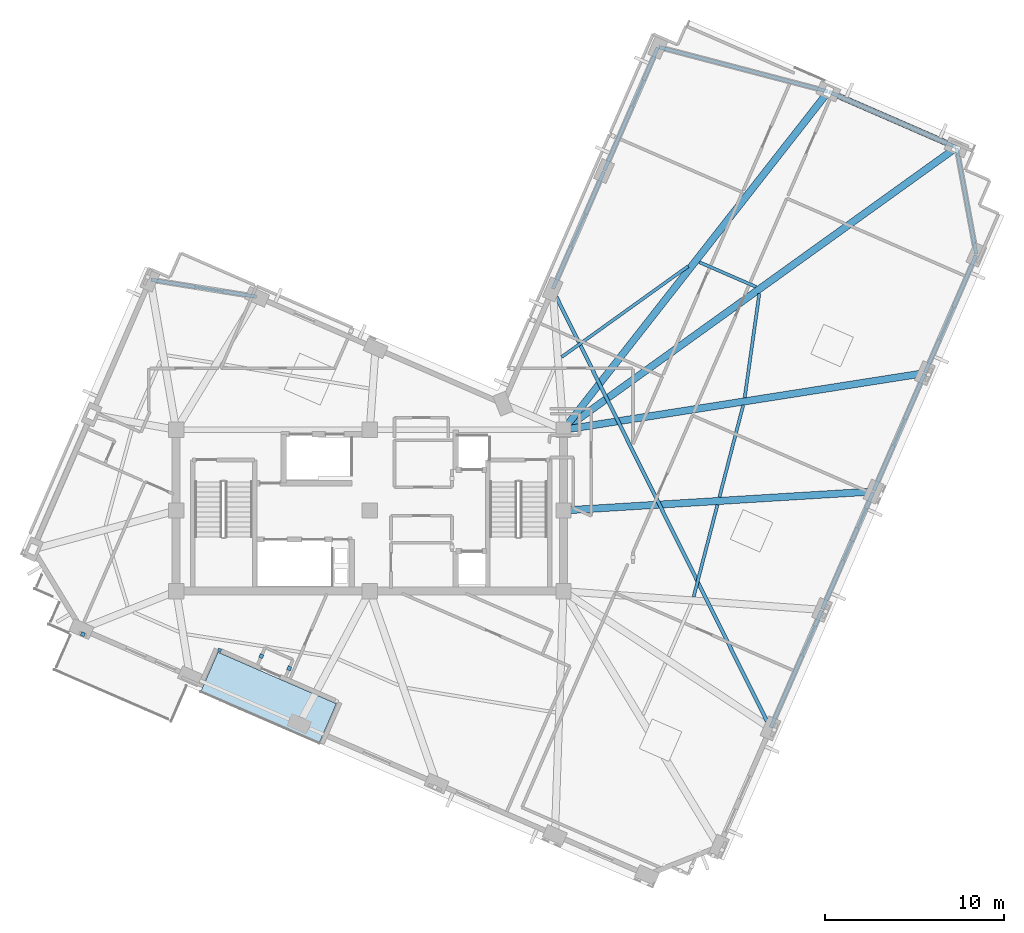
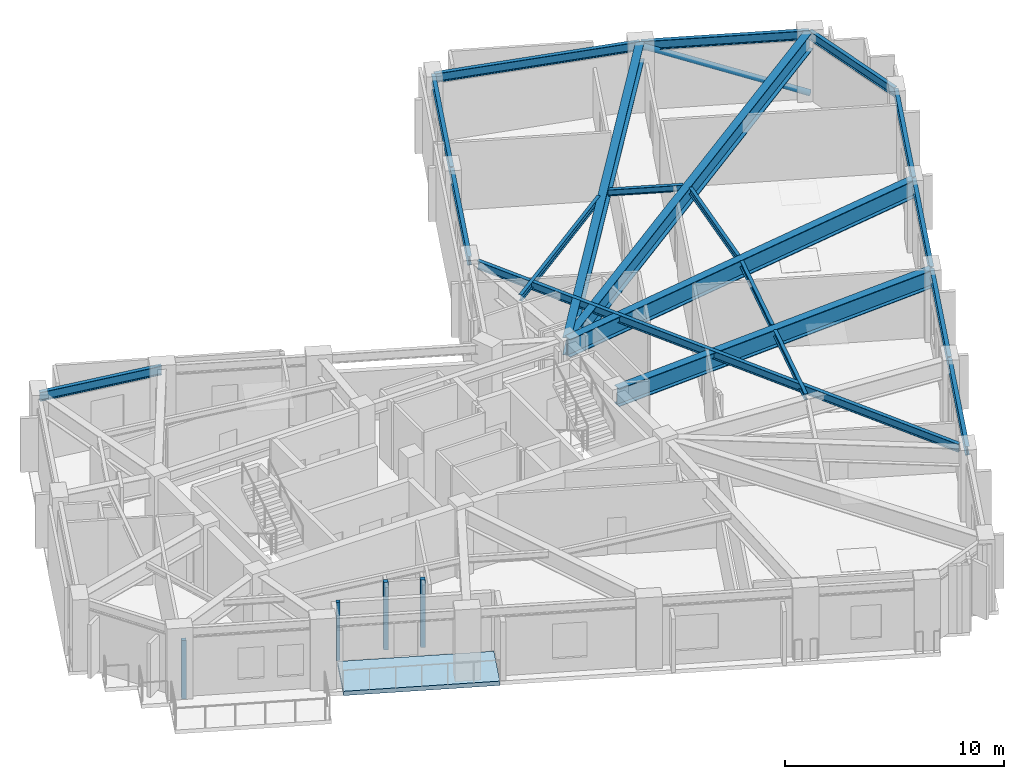
# One storey, part 2 of 12: 20 beams, 4 plates, 1 member, 1 slab.
"""IFC4 building model written with IfcOpenShell, lengths in metres."""

from ifc_helpers import new_model, si_unit, direction, frame, origin, origin_2d, place, context, subcontext, project, spatial, polyline, rectangle, hollow_circle, i_section, outline, extrude, material, layer, layer_set, material_profile, profile_set, type_object, element, save


model = new_model("IFC4")

# Units and contexts
model_context = context("Model", 3, precision=1e-05, world=origin(), true_north=direction((0.0, 1.0)))
body_context = subcontext(model_context, "Body", "Model", "MODEL_VIEW")
ifc_project = project(units=[si_unit("LENGTHUNIT", "METRE"), si_unit("AREAUNIT", "SQUARE_METRE"), si_unit("VOLUMEUNIT", "CUBIC_METRE"), si_unit("PLANEANGLEUNIT", "RADIAN"), si_unit("MASSUNIT", "GRAM", prefix="KILO")], contexts=[model_context])

# Site, building, storey
site_placement = place(None, origin())
site = spatial("IfcSite", under=ifc_project, at=site_placement, CompositionType="ELEMENT")
building_placement = place(site_placement, origin())
building = spatial("IfcBuilding", under=site, at=building_placement, Name="Gaonmaruhae Medical Tower", CompositionType="ELEMENT")
storey_placement = place(building_placement, frame((0.0, 0.0, 316.60009765625)))
storey = spatial("IfcBuildingStorey", under=building, at=storey_placement, Name="L76", CompositionType="ELEMENT", Elevation=316.60009765625)

# Beams
ifc_material_1 = material(Name="Steel SM420", Category="steel")
ifc_material_profile_1 = material_profile(ifc_material_1, i_section(OverallWidth=0.39990234375, OverallDepth=1.0, WebThickness=0.02197265625, FlangeThickness=0.035888671875, at=origin_2d()), Name="BH-1000x400x22x36")
ifc_profile_set_1 = profile_set([ifc_material_profile_1], Name="Steel SM420")
beam_type_1 = type_object("IfcBeamType", Name="BG-02 Refuge Floor Primary Girder (BH-1000x400x22x36)", PredefinedType="BEAM", material=ifc_profile_set_1)
beam_1_placement = place(storey_placement, frame((35.64990234375, 12.302978515625, 3.260009765625), z_axis=(0.998125311209, 0.061203456791, 0.0), x_axis=(-0.061203456791, 0.998125311209, 0.0)))
element("IfcBeam", 1, at=beam_1_placement, inside=storey, type_object=beam_type_1, Name="L76 Radial Primary Girder S04", PredefinedType="BEAM", context=body_context, shape_type="SweptSolid", body=[
    extrude(i_section(OverallWidth=0.39990234375, OverallDepth=1.0, WebThickness=0.02197265625, FlangeThickness=0.035888671875, at=origin_2d()), origin(), (0.0, 0.0, 1.0), 17.220458984375),
])
beam_2_placement = place(storey_placement, frame((35.6494140625, 16.807861328125, 3.27978515625), z_axis=(0.987915736395, 0.15499192812, 0.0), x_axis=(-0.15499192812, 0.987915736395, 0.0)))
element("IfcBeam", 2, at=beam_2_placement, inside=storey, type_object=beam_type_1, Name="L76 Radial Primary Girder S05", PredefinedType="BEAM", context=body_context, shape_type="SweptSolid", body=[
    extrude(i_section(OverallWidth=0.39990234375, OverallDepth=1.0, WebThickness=0.02197265625, FlangeThickness=0.035888671875, at=origin_2d()), origin(), (0.0, 0.0, 1.0), 20.3056640625),
])
beam_3_placement = place(storey_placement, frame((35.640625, 16.8291015625, 3.27978515625), z_axis=(0.812127869731, 0.583479496818, 0.0), x_axis=(-0.583479496818, 0.812127869731, 0.0)))
element("IfcBeam", 3, at=beam_3_placement, inside=storey, type_object=beam_type_1, Name="L76 Radial Primary Girder E01", PredefinedType="BEAM", context=body_context, shape_type="SweptSolid", body=[
    extrude(i_section(OverallWidth=0.39990234375, OverallDepth=1.0, WebThickness=0.02197265625, FlangeThickness=0.035888671875, at=origin_2d()), origin(), (0.0, 0.0, 1.0), 26.89794921875),
])
beam_4_placement = place(storey_placement, frame((35.630859375, 16.83935546875, 3.27978515625), z_axis=(0.616575305367, 0.78729593725, 0.0), x_axis=(-0.78729593725, 0.616575305367, 0.0)))
element("IfcBeam", 4, at=beam_4_placement, inside=storey, type_object=beam_type_1, Name="L76 Radial Primary Girder E02", PredefinedType="BEAM", context=body_context, shape_type="SweptSolid", body=[
    extrude(i_section(OverallWidth=0.39990234375, OverallDepth=1.0, WebThickness=0.02197265625, FlangeThickness=0.035888671875, at=origin_2d()), origin(), (0.0, 0.0, 1.0), 23.859130859375),
])
ifc_material_2 = material(Name="Steel SM355", Category="steel")
ifc_material_profile_2 = material_profile(ifc_material_2, i_section(OverallWidth=0.175048828125, OverallDepth=0.35009765625, WebThickness=0.007080078125, FlangeThickness=0.010986328125, FilletRadius=0.012939453125, at=origin_2d()), Name="H-350x175x7x11")
ifc_profile_set_2 = profile_set([ifc_material_profile_2], Name="Steel SM355")
beam_type_2 = type_object("IfcBeamType", Name="FJ-02 Upper Zone Ward Floor Joist (H-350x175x7x11)", PredefinedType="JOIST", material=ifc_profile_set_2)
beam_5_placement = place(storey_placement, frame((42.86083984375, 7.481201171875, 3.60498046875), z_axis=(0.250373159945, 0.968149410359, 0.0), x_axis=(-0.968149410359, 0.250373159945, 0.0)))
element("IfcBeam", 5, at=beam_5_placement, inside=storey, type_object=beam_type_2, Name="L76 Secondary Floor Joist FJ03", PredefinedType="JOIST", context=body_context, shape_type="SweptSolid", body=[
    extrude(i_section(OverallWidth=0.175048828125, OverallDepth=0.35009765625, WebThickness=0.007080078125, FlangeThickness=0.010986328125, FilletRadius=0.012939453125, at=origin_2d()), origin(), (0.0, 0.0, 1.0), 5.30859375),
])
beam_6_placement = place(storey_placement, frame((44.298095703125, 13.03955078125, 3.60498046875), z_axis=(0.25037313325, 0.968149417263, 0.0), x_axis=(-0.968149417263, 0.25037313325, 0.0)))
element("IfcBeam", 6, at=beam_6_placement, inside=storey, type_object=beam_type_2, Name="L76 Secondary Floor Joist FJ04", PredefinedType="JOIST", context=body_context, shape_type="SweptSolid", body=[
    extrude(i_section(OverallWidth=0.175048828125, OverallDepth=0.35009765625, WebThickness=0.007080078125, FlangeThickness=0.010986328125, FilletRadius=0.012939453125, at=origin_2d()), origin(), (0.0, 0.0, 1.0), 5.2939453125),
])
beam_7_placement = place(storey_placement, frame((45.70947265625, 18.594482421875, 3.60498046875), z_axis=(0.138970704931, 0.990296492557, 0.0), x_axis=(-0.990296492557, 0.138970704931, 0.0)))
element("IfcBeam", 7, at=beam_7_placement, inside=storey, type_object=beam_type_2, Name="L76 Secondary Floor Joist FJ05", PredefinedType="JOIST", context=body_context, shape_type="SweptSolid", body=[
    extrude(i_section(OverallWidth=0.175048828125, OverallDepth=0.35009765625, WebThickness=0.007080078125, FlangeThickness=0.010986328125, FilletRadius=0.012939453125, at=origin_2d()), origin(), (0.0, 0.0, 1.0), 5.85888671875),
])
beam_8_placement = place(storey_placement, frame((46.34375, 24.771484375, 3.60498046875), z_axis=(-0.917037412136, 0.39880118448, 0.0), x_axis=(-0.39880118448, -0.917037412136, 0.0)))
element("IfcBeam", 8, at=beam_8_placement, inside=storey, type_object=beam_type_2, Name="L76 Secondary Floor Joist FJ06", PredefinedType="JOIST", context=body_context, shape_type="SweptSolid", body=[
    extrude(i_section(OverallWidth=0.175048828125, OverallDepth=0.35009765625, WebThickness=0.007080078125, FlangeThickness=0.010986328125, FilletRadius=0.012939453125, at=origin_2d()), origin(), (0.0, 0.0, 1.0), 3.448486328125),
])
beam_9_placement = place(storey_placement, frame((42.553955078125, 25.921142578125, 3.60498046875), z_axis=(-0.812434971378, -0.583051813548, 0.0), x_axis=(0.583051813548, -0.812434971378, 0.0)))
element("IfcBeam", 9, at=beam_9_placement, inside=storey, type_object=beam_type_2, Name="L76 Secondary Floor Joist FJ07", PredefinedType="JOIST", context=body_context, shape_type="SweptSolid", body=[
    extrude(i_section(OverallWidth=0.175048828125, OverallDepth=0.35009765625, WebThickness=0.007080078125, FlangeThickness=0.010986328125, FilletRadius=0.012939453125, at=origin_2d()), origin(), (0.0, 0.0, 1.0), 8.690185546875),
])

# Member
ifc_material_profile_3 = material_profile(ifc_material_2, hollow_circle(Radius=0.1591796875, WallThickness=0.01025390625, at=origin_2d()), Name="CHS-318.5x10.3")
ifc_profile_set_3 = profile_set([ifc_material_profile_3], Name="Steel SM355")
member_type = type_object("IfcMemberType", Name="PB-03 Perimeter Solid-Bay Tube Brace Upper (CHS-318.5x10.3)", PredefinedType="BRACE", material=ifc_profile_set_3)
member_placement = place(storey_placement, frame((57.525634765625, 32.552734375, 0.25), z_axis=(-0.845363434986, 0.367570646402, 0.387624151328), x_axis=(-0.398745568807, -0.917061596272, 0.0)))
element("IfcMember", 10, at=member_placement, inside=storey, type_object=member_type, Name="L76 Perimeter Tube Solid-Bay Brace E01-E02", PredefinedType="BRACE", context=body_context, shape_type="SweptSolid", body=[
    extrude(hollow_circle(Radius=0.1591796875, WallThickness=0.01025390625, at=origin_2d()), origin(), (0.0, 0.0, 1.0), 8.461181640625),
])

# Beams
ifc_material_profile_4 = material_profile(ifc_material_2, i_section(OverallWidth=0.199951171875, OverallDepth=0.5, WebThickness=0.010009765625, FlangeThickness=0.01611328125, FilletRadius=0.012939453125, at=origin_2d()), Name="H-500x200x10x16")
ifc_profile_set_4 = profile_set([ifc_material_profile_4], Name="Steel SM355")
beam_type_3 = type_object("IfcBeamType", Name="SP-02 Upper Perimeter Spandrel Beam (H-500x200x10x16)", PredefinedType="SPANDREL", material=ifc_profile_set_4)
beam_10_placement = place(storey_placement, frame((47.162109375, 0.191162109375, 3.510009765625), z_axis=(0.398759965154, 0.917055336493, 0.0), x_axis=(-0.917055336493, 0.398759965154, 0.0)))
element("IfcBeam", 11, at=beam_10_placement, inside=storey, type_object=beam_type_3, Name="L76 Perimeter Spandrel Beam S02-S03", PredefinedType="SPANDREL", context=body_context, shape_type="SweptSolid", body=[
    extrude(i_section(OverallWidth=0.199951171875, OverallDepth=0.5, WebThickness=0.010009765625, FlangeThickness=0.01611328125, FilletRadius=0.012939453125, at=origin_2d()), origin(), (0.0, 0.0, 1.0), 7.119873046875),
])
for number, where, z_axis, x_axis, name in (
    (12, (50.032958984375, 6.7939453125, 3.510009765625), (0.398747426125, 0.917060788693, 0.0), (-0.917060788693, 0.398747426125, 0.0), "L76 Perimeter Spandrel Beam S03-S04"),
    (13, (52.904052734375, 13.396728515625, 3.52978515625), (0.398747426125, 0.917060788693, 0.0), (-0.917060788693, 0.398747426125, 0.0), "L76 Perimeter Spandrel Beam S04-S05"),
):
    element("IfcBeam", number, at=place(storey_placement, frame(where, z_axis=z_axis, x_axis=x_axis)), inside=storey, type_object=beam_type_3, Name=name, PredefinedType="SPANDREL", context=body_context, shape_type="SweptSolid", body=[
        extrude(i_section(OverallWidth=0.199951171875, OverallDepth=0.5, WebThickness=0.010009765625, FlangeThickness=0.01611328125, FilletRadius=0.012939453125, at=origin_2d()), origin(), (0.0, 0.0, 1.0), 7.1201171875),
    ])
beam_11_placement = place(storey_placement, frame((55.775146484375, 19.99951171875, 3.52978515625), z_axis=(0.398718588421, 0.917073327083, 0.0), x_axis=(-0.917073327083, 0.398718588421, 0.0)))
element("IfcBeam", 14, at=beam_11_placement, inside=storey, type_object=beam_type_3, Name="L76 Perimeter Spandrel Beam S05-S06", PredefinedType="SPANDREL", context=body_context, shape_type="SweptSolid", body=[
    extrude(i_section(OverallWidth=0.199951171875, OverallDepth=0.5, WebThickness=0.010009765625, FlangeThickness=0.01611328125, FilletRadius=0.012939453125, at=origin_2d()), origin(), (0.0, 0.0, 1.0), 7.119873046875),
])
beam_12_placement = place(storey_placement, frame((58.622802734375, 26.60498046875, 3.52978515625), z_axis=(-0.181402379506, 0.983408957001, 0.0), x_axis=(-0.983408957001, -0.181402379506, 0.0)))
element("IfcBeam", 15, at=beam_12_placement, inside=storey, type_object=beam_type_3, Name="L76 Perimeter Spandrel Beam S06-E01", PredefinedType="SPANDREL", context=body_context, shape_type="SweptSolid", body=[
    extrude(i_section(OverallWidth=0.199951171875, OverallDepth=0.5, WebThickness=0.010009765625, FlangeThickness=0.01611328125, FilletRadius=0.012939453125, at=origin_2d()), origin(), (0.0, 0.0, 1.0), 6.0078125),
])
beam_13_placement = place(storey_placement, frame((57.489013671875, 32.568603515625, 3.52978515625), z_axis=(-0.91705648068, 0.398757333778, 0.0), x_axis=(-0.398757333778, -0.91705648068, 0.0)))
element("IfcBeam", 16, at=beam_13_placement, inside=storey, type_object=beam_type_3, Name="L76 Perimeter Spandrel Beam E01-E02", PredefinedType="SPANDREL", context=body_context, shape_type="SweptSolid", body=[
    extrude(i_section(OverallWidth=0.199951171875, OverallDepth=0.5, WebThickness=0.010009765625, FlangeThickness=0.01611328125, FilletRadius=0.012939453125, at=origin_2d()), origin(), (0.0, 0.0, 1.0), 7.719970703125),
])
beam_14_placement = place(storey_placement, frame((50.333984375, 35.673095703125, 3.52978515625), z_axis=(-0.967227039177, 0.253913084904, 0.0), x_axis=(-0.253913084904, -0.967227039177, 0.0)))
element("IfcBeam", 17, at=beam_14_placement, inside=storey, type_object=beam_type_3, Name="L76 Perimeter Spandrel Beam E02-E03", PredefinedType="SPANDREL", context=body_context, shape_type="SweptSolid", body=[
    extrude(i_section(OverallWidth=0.199951171875, OverallDepth=0.5, WebThickness=0.010009765625, FlangeThickness=0.01611328125, FilletRadius=0.012939453125, at=origin_2d()), origin(), (0.0, 0.0, 1.0), 9.7353515625),
])
beam_15_placement = place(storey_placement, frame((40.863037109375, 38.118408203125, 3.52978515625), z_axis=(-0.398738062403, -0.917064860079, 0.0), x_axis=(0.917064860079, -0.398738062403, 0.0)))
element("IfcBeam", 18, at=beam_15_placement, inside=storey, type_object=beam_type_3, Name="L76 Perimeter Spandrel Beam E03-EN01", PredefinedType="SPANDREL", context=body_context, shape_type="SweptSolid", body=[
    extrude(i_section(OverallWidth=0.199951171875, OverallDepth=0.5, WebThickness=0.010009765625, FlangeThickness=0.01611328125, FilletRadius=0.012939453125, at=origin_2d()), origin(), (0.0, 0.0, 1.0), 7.469970703125),
])
beam_16_placement = place(storey_placement, frame((37.8525390625, 31.194580078125, 3.52978515625), z_axis=(-0.398759965154, -0.917055336493, 0.0), x_axis=(0.917055336493, -0.398759965154, 0.0)))
element("IfcBeam", 19, at=beam_16_placement, inside=storey, type_object=beam_type_3, Name="L76 Perimeter Spandrel Beam EN01-EN02", PredefinedType="SPANDREL", context=body_context, shape_type="SweptSolid", body=[
    extrude(i_section(OverallWidth=0.199951171875, OverallDepth=0.5, WebThickness=0.010009765625, FlangeThickness=0.01611328125, FilletRadius=0.012939453125, at=origin_2d()), origin(), (0.0, 0.0, 1.0), 7.119873046875),
])
beam_17_placement = place(storey_placement, frame((18.4765625, 24.22265625, 3.52978515625), z_axis=(-0.987363817678, 0.158469844265, 0.0), x_axis=(-0.158469844265, -0.987363817678, 0.0)))
element("IfcBeam", 20, at=beam_17_placement, inside=storey, type_object=beam_type_3, Name="L76 Perimeter Spandrel Beam NE02-N01", PredefinedType="SPANDREL", context=body_context, shape_type="SweptSolid", body=[
    extrude(i_section(OverallWidth=0.199951171875, OverallDepth=0.5, WebThickness=0.010009765625, FlangeThickness=0.01611328125, FilletRadius=0.012939453125, at=origin_2d()), origin(), (0.0, 0.0, 1.0), 5.958984375),
])
ifc_material_profile_5 = material_profile(ifc_material_2, i_section(OverallWidth=0.199951171875, OverallDepth=0.449951171875, WebThickness=0.009033203125, FlangeThickness=0.013916015625, FilletRadius=0.012939453125, at=origin_2d()), Name="H-450x200x9x14")
ifc_profile_set_5 = profile_set([ifc_material_profile_5], Name="Steel SM355")
beam_type_4 = type_object("IfcBeamType", Name="SP-03 Ribbon Edge Spandrel Beam (H-450x200x9x14)", PredefinedType="SPANDREL", material=ifc_profile_set_5)
beam_18_placement = place(storey_placement, frame((46.946044921875, 0.557373046875, 3.554931640625), z_axis=(-0.444624656404, 0.895716983716, 0.0), x_axis=(-0.895716983716, -0.444624656404, 0.0)))
element("IfcBeam", 21, at=beam_18_placement, inside=storey, type_object=beam_type_4, Name="L76 Ribbon Transverse Spandrel 1", PredefinedType="SPANDREL", context=body_context, shape_type="SweptSolid", body=[
    extrude(i_section(OverallWidth=0.199951171875, OverallDepth=0.449951171875, WebThickness=0.009033203125, FlangeThickness=0.013916015625, FilletRadius=0.012939453125, at=origin_2d()), origin(), (0.0, 0.0, 1.0), 26.423583984375),
])

# Plates
ifc_material_3 = material(Name="Anodised aluminium 6063-T6", Category="aluminium")
ifc_layer_1 = layer(ifc_material_3, 0.011962890625)
ifc_layer_set_1 = layer_set([ifc_layer_1], Name="Anodised aluminium 6063-T6")
plate_type = type_object("IfcPlateType", Name="PP-01 Interior Partition Corner Stiffener Plate", PredefinedType="SHEET", material=ifc_layer_set_1)
plate_1_placement = place(storey_placement, frame((16.423095703125, 4.506103515625, 0.0), z_axis=(0.0, 0.0, 1.0), x_axis=(-0.917060074385, 0.398749068925, 0.0)))
element("IfcPlate", 22, at=plate_1_placement, inside=storey, type_object=plate_type, Name="L76 Partition End Jamb Post Plate PLT-L76-ENDP-TERB-1", PredefinedType="SHEET", context=body_context, shape_type="SweptSolid", body=[
    extrude(rectangle(XDim=0.179931640625, YDim=0.179931640625, at=origin_2d()), origin(), (0.0, 0.0, 1.0), 3.264892578125),
])
for number, where, z_axis, x_axis, name in (
    (23, (20.3076171875, 3.49609375, 0.0), (0.0, 0.0, 1.0), (0.398829095996, 0.917025273473, 0.0), "L76 Partition Corner Stiffener Plate PLT-L76-JGP-PW041"),
    (24, (18.7490234375, 4.173583984375, 0.0), (0.0, 0.0, 1.0), (-0.398380905299, -0.917220068627, 0.0), "L76 Partition Corner Stiffener Plate PLT-L76-JGP-PW043"),
):
    element("IfcPlate", number, at=place(storey_placement, frame(where, z_axis=z_axis, x_axis=x_axis)), inside=storey, type_object=plate_type, Name=name, PredefinedType="SHEET", context=body_context, shape_type="SweptSolid", body=[
        extrude(rectangle(XDim=0.219970703125, YDim=0.219970703125, at=origin_2d()), origin(), (0.0, 0.0, 1.0), 3.780029296875),
    ])
plate_2_placement = place(storey_placement, frame((8.7939453125, 5.402587890625, 0.0), z_axis=(0.0, 0.0, 1.0), x_axis=(-0.916809351952, 0.399325196016, 0.0)))
element("IfcPlate", 25, at=plate_2_placement, inside=storey, type_object=plate_type, Name="L76 Partition Corner Stiffener Plate PLT-L76-JGP-PW045", PredefinedType="SHEET", context=body_context, shape_type="SweptSolid", body=[
    extrude(rectangle(XDim=0.219970703125, YDim=0.219970703125, at=origin_2d()), origin(), (0.0, 0.0, 1.0), 3.264892578125),
])

# Slab
ifc_material_4 = material(Name="Concrete C40/50", Category="concrete")
ifc_layer_2 = layer(ifc_material_4, 0.239990234375)
ifc_layer_set_2 = layer_set([ifc_layer_2], Name="Concrete C40/50")
slab_type = type_object("IfcSlabType", Name="TS-240 Sky Garden & Recovery Terrace Slab", PredefinedType="FLOOR", material=ifc_layer_set_2)
slab_placement = place(storey_placement, frame((0.0, 0.0, -0.239990234375)))
element("IfcSlab", 26, at=slab_placement, inside=storey, type_object=slab_type, Name="L76 Outdoor Recovery Terrace Slab", PredefinedType="FLOOR", context=body_context, shape_type="SweptSolid", body=[
    extrude(outline(polyline([(21.9765625, -0.67822265625), (22.93359375, 1.522705078125), (16.33056640625, 4.3935546875), (15.373779296875, 2.192626953125), (21.9765625, -0.67822265625)])), origin(), (0.0, 0.0, 1.0), 0.239990234375),
])

save(model, "model.ifc")
